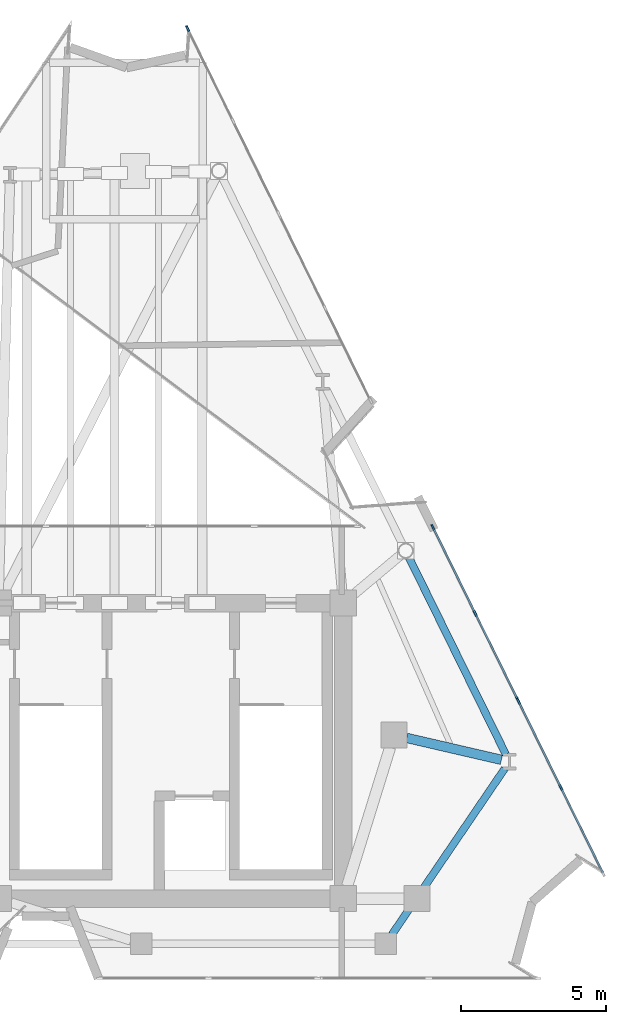
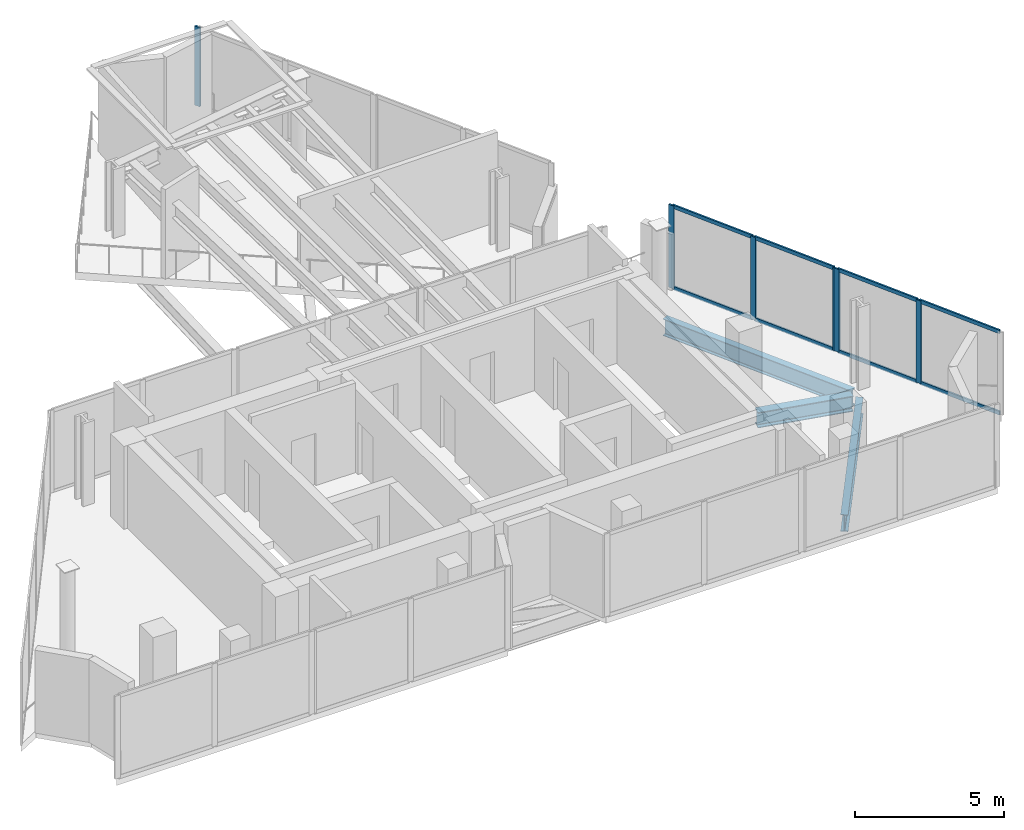
# One storey, part 4 of 7: 14 members, 3 beams, 3 elements without a shape of their own.
"""IFC4 building model written with IfcOpenShell, lengths in metres."""

from ifc_helpers import new_model, si_unit, direction, frame, origin, origin_2d, place, context, subcontext, project, spatial, rectangle, i_section, extrude, material, layer, layer_set, material_profile, profile_set, type_object, element, aggregate, save


model = new_model("IFC4")

# Units and contexts
model_context = context("Model", 3, precision=1e-05, world=origin(), true_north=direction((0.0, 1.0)))
body_context = subcontext(model_context, "Body", "Model", "MODEL_VIEW")
ifc_project = project(units=[si_unit("LENGTHUNIT", "METRE"), si_unit("AREAUNIT", "SQUARE_METRE"), si_unit("VOLUMEUNIT", "CUBIC_METRE"), si_unit("PLANEANGLEUNIT", "RADIAN"), si_unit("MASSUNIT", "GRAM", prefix="KILO")], contexts=[model_context])

# Site, building, storey
site_placement = place(None, origin())
site = spatial("IfcSite", under=ifc_project, at=site_placement, CompositionType="ELEMENT")
building_placement = place(site_placement, origin())
building = spatial("IfcBuilding", under=site, at=building_placement, Name="Almagre Mirador Tower", CompositionType="ELEMENT")
storey_placement = place(building_placement, frame((0.0, 0.0, 318.5)))
storey = spatial("IfcBuildingStorey", under=building, at=storey_placement, Name="L82", CompositionType="ELEMENT", Elevation=318.5)

# Beams
ifc_material_1 = material(Name="Steel ASTM A992 Grade 50", Category="steel")
ifc_material_profile_1 = material_profile(ifc_material_1, i_section(OverallWidth=0.256103515625, OverallDepth=0.693115234375, WebThickness=0.014404296875, FlangeThickness=0.023681640625, FilletRadius=0.02197265625, at=origin_2d()), Name="W27X114")
ifc_profile_set_1 = profile_set([ifc_material_profile_1], Name="Steel ASTM A992 Grade 50")
beam_type_1 = type_object("IfcBeamType", Name="BM-SPN-W27X114", PredefinedType="SPANDREL", material=ifc_profile_set_1)
beam_1_placement = place(storey_placement, frame((48.726806640625, 3.31005859375, -0.646484375), z_axis=(0.562316764755, 0.826921916553, 0.0), x_axis=(-0.826921916553, 0.562316764755, 0.0)))
element("IfcBeam", 1, at=beam_1_placement, inside=storey, type_object=beam_type_1, Name="L82 perimeter spandrel beam PC04-PC05", PredefinedType="SPANDREL", context=body_context, shape_type="SweptSolid", body=[
    extrude(i_section(OverallWidth=0.256103515625, OverallDepth=0.693115234375, WebThickness=0.014404296875, FlangeThickness=0.023681640625, FilletRadius=0.02197265625, at=origin_2d()), origin(), (0.0, 0.0, 1.0), 6.931884765625),
])
beam_2_placement = place(storey_placement, frame((52.6591796875, 9.53369140625, -0.646484375), z_axis=(-0.441286188915, 0.897366424306, 0.0), x_axis=(-0.897366424306, -0.441286188915, 0.0)))
element("IfcBeam", 2, at=beam_2_placement, inside=storey, type_object=beam_type_1, Name="L82 perimeter spandrel beam PC05-PC06", PredefinedType="SPANDREL", context=body_context, shape_type="SweptSolid", body=[
    extrude(i_section(OverallWidth=0.256103515625, OverallDepth=0.693115234375, WebThickness=0.014404296875, FlangeThickness=0.023681640625, FilletRadius=0.02197265625, at=origin_2d()), origin(), (0.0, 0.0, 1.0), 7.607666015625),
])
ifc_material_2 = material(Name="Steel ASTM A992 Grade 50", Category="steel")
ifc_material_profile_2 = material_profile(ifc_material_2, i_section(OverallWidth=0.330078125, OverallDepth=0.635009765625, WebThickness=0.017822265625, FlangeThickness=0.031005859375, FilletRadius=0.02001953125, at=origin_2d()), Name="W24X162")
ifc_profile_set_2 = profile_set([ifc_material_profile_2], Name="Steel ASTM A992 Grade 50")
beam_type_2 = type_object("IfcBeamType", Name="BM-STL-W24X162", PredefinedType="BEAM", material=ifc_profile_set_2)
beam_3_placement = place(storey_placement, frame((52.50732421875, 9.34228515625, -0.617431640625), z_axis=(-0.974263503656, 0.225412123549, 0.0), x_axis=(-0.225412123549, -0.974263503656, 0.0)))
element("IfcBeam", 3, at=beam_3_placement, inside=storey, type_object=beam_type_2, Name="L82 radial floor girder PC05-MC3", PredefinedType="BEAM", context=body_context, shape_type="SweptSolid", body=[
    extrude(i_section(OverallWidth=0.330078125, OverallDepth=0.635009765625, WebThickness=0.017822265625, FlangeThickness=0.031005859375, FilletRadius=0.02001953125, at=origin_2d()), origin(), (0.0, 0.0, 1.0), 3.35546875),
])

# Curtain wall, member
ifc_material_3 = material(Name="Black anodized aluminium", Category="aluminium")
ifc_layer = layer(ifc_material_3, 0.2099609375)
ifc_layer_set = layer_set([ifc_layer], Name="Black anodized aluminium")
curtain_wall_type = type_object("IfcCurtainWallType", Name="CW-CRN-SYS", PredefinedType="NOTDEFINED", material=ifc_layer_set)
curtain_wall_1_placement = place(storey_placement, origin())
curtain_wall_1 = element("IfcCurtainWall", 4, at=curtain_wall_1_placement, inside=storey, type_object=curtain_wall_type, Name="L82 curtain wall run 06", PredefinedType="NOTDEFINED")
ifc_material_4 = material(Name="Black anodized aluminium", Category="aluminium")
ifc_material_profile_3 = material_profile(ifc_material_4, rectangle(XDim=0.070068359375, YDim=0.2099609375, at=origin_2d()), Name="CWM70X210")
ifc_profile_set_3 = profile_set([ifc_material_profile_3], Name="Black anodized aluminium")
member_type_1 = type_object("IfcMemberType", Name="MBR-CWM70X210", PredefinedType="MULLION", material=ifc_profile_set_3)
member_1_placement = place(storey_placement, frame((41.6806640625, 34.579345703125, 0.0), z_axis=(0.0, 0.0, 1.0), x_axis=(0.897355924659, 0.441307539568, 0.0)))
member_1 = element("IfcMember", 5, at=member_1_placement, type_object=member_type_1, Name="CW-6 mullion 1", PredefinedType="MULLION", context=body_context, shape_type="SweptSolid", body=[
    extrude(rectangle(XDim=0.070068359375, YDim=0.2099609375, at=origin_2d()), origin(), (0.0, 0.0, 1.0), 3.2509765625),
])
aggregate(curtain_wall_1, [member_1])

# Curtain wall, members
curtain_wall_2_placement = place(storey_placement, origin())
curtain_wall_2 = element("IfcCurtainWall", 6, at=curtain_wall_2_placement, inside=storey, type_object=curtain_wall_type, Name="L82 curtain wall run 08", PredefinedType="NOTDEFINED")
member_2_placement = place(storey_placement, frame((50.1435546875, 17.36865234375, 0.0), z_axis=(0.0, 0.0, 1.0), x_axis=(0.897354428441, 0.441310581967, 0.0)))
member_2 = element("IfcMember", 7, at=member_2_placement, type_object=member_type_1, Name="CW-6 mullion 1", PredefinedType="MULLION", context=body_context, shape_type="SweptSolid", body=[
    extrude(rectangle(XDim=0.070068359375, YDim=0.2099609375, at=origin_2d()), origin(), (0.0, 0.0, 1.0), 3.39990234375),
])
member_3_placement = place(storey_placement, frame((51.604736328125, 14.397216796875, 0.0), z_axis=(0.0, 0.0, 1.0), x_axis=(0.897354428441, 0.441310581967, 0.0)))
member_3 = element("IfcMember", 8, at=member_3_placement, type_object=member_type_1, Name="CW-6 mullion 2", PredefinedType="MULLION", context=body_context, shape_type="SweptSolid", body=[
    extrude(rectangle(XDim=0.070068359375, YDim=0.2099609375, at=origin_2d()), origin(), (0.0, 0.0, 1.0), 3.39990234375),
])
member_4_placement = place(storey_placement, frame((53.066162109375, 11.426025390625, 0.0), z_axis=(0.0, 0.0, 1.0), x_axis=(0.897354428441, 0.441310581967, 0.0)))
member_4 = element("IfcMember", 9, at=member_4_placement, type_object=member_type_1, Name="CW-6 mullion 3", PredefinedType="MULLION", context=body_context, shape_type="SweptSolid", body=[
    extrude(rectangle(XDim=0.070068359375, YDim=0.2099609375, at=origin_2d()), origin(), (0.0, 0.0, 1.0), 3.39990234375),
])

curtain_wall_3_placement = place(storey_placement, origin())
curtain_wall_3 = element("IfcCurtainWall", 10, at=curtain_wall_3_placement, inside=storey, type_object=curtain_wall_type, Name="L82 curtain wall run 09", PredefinedType="NOTDEFINED")
member_5_placement = place(storey_placement, frame((53.096923828125, 11.36328125, 0.0), z_axis=(0.0, 0.0, 1.0), x_axis=(0.897354428441, 0.441310581967, 0.0)))
member_5 = element("IfcMember", 11, at=member_5_placement, type_object=member_type_1, Name="CW-6 mullion 1", PredefinedType="MULLION", context=body_context, shape_type="SweptSolid", body=[
    extrude(rectangle(XDim=0.070068359375, YDim=0.2099609375, at=origin_2d()), origin(), (0.0, 0.0, 1.0), 3.39990234375),
])
member_6_placement = place(storey_placement, frame((54.55810546875, 8.391845703125, 0.0), z_axis=(0.0, 0.0, 1.0), x_axis=(0.897354428441, 0.441310581967, 0.0)))
member_6 = element("IfcMember", 12, at=member_6_placement, type_object=member_type_1, Name="CW-6 mullion 2", PredefinedType="MULLION", context=body_context, shape_type="SweptSolid", body=[
    extrude(rectangle(XDim=0.070068359375, YDim=0.2099609375, at=origin_2d()), origin(), (0.0, 0.0, 1.0), 3.39990234375),
])

# Member
ifc_material_5 = material(Name="Black anodized aluminium", Category="aluminium")
ifc_material_profile_4 = material_profile(ifc_material_5, rectangle(XDim=0.06494140625, YDim=0.14990234375, at=origin_2d()), Name="CWT65X150")
ifc_profile_set_4 = profile_set([ifc_material_profile_4], Name="Black anodized aluminium")
member_type_2 = type_object("IfcMemberType", Name="MBR-CWT65X150", PredefinedType="USERDEFINED", material=ifc_profile_set_4)
member_7_placement = place(storey_placement, frame((50.158935546875, 17.337158203125, 0.032470703125), z_axis=(0.441328604456, -0.897345564924, 0.0), x_axis=(0.897345564924, 0.441328604456, 0.0)))
member_7 = element("IfcMember", 13, at=member_7_placement, type_object=member_type_2, Name="CW-6 transom 1.1", ObjectType="TRANSOM", PredefinedType="USERDEFINED", context=body_context, shape_type="SweptSolid", body=[
    extrude(rectangle(XDim=0.06494140625, YDim=0.14990234375, at=origin_2d()), origin(), (0.0, 0.0, 1.0), 3.2412109375),
])

member_8_placement = place(storey_placement, frame((50.158935546875, 17.337158203125, 3.367431640625), z_axis=(0.441328604456, -0.897345564924, 0.0), x_axis=(0.897345564924, 0.441328604456, 0.0)))
member_8 = element("IfcMember", 14, at=member_8_placement, type_object=member_type_2, Name="CW-6 transom 1.2", ObjectType="TRANSOM", PredefinedType="USERDEFINED", context=body_context, shape_type="SweptSolid", body=[
    extrude(rectangle(XDim=0.06494140625, YDim=0.14990234375, at=origin_2d()), origin(), (0.0, 0.0, 1.0), 3.2412109375),
])

member_9_placement = place(storey_placement, frame((51.620361328125, 14.365966796875, 0.032470703125), z_axis=(0.441267947631, -0.897375394355, 0.0), x_axis=(0.897375394355, 0.441267947631, 0.0)))
member_9 = element("IfcMember", 15, at=member_9_placement, type_object=member_type_2, Name="CW-6 transom 2.1", ObjectType="TRANSOM", PredefinedType="USERDEFINED", context=body_context, shape_type="SweptSolid", body=[
    extrude(rectangle(XDim=0.06494140625, YDim=0.14990234375, at=origin_2d()), origin(), (0.0, 0.0, 1.0), 3.240966796875),
])

member_10_placement = place(storey_placement, frame((51.620361328125, 14.365966796875, 3.367431640625), z_axis=(0.441267947631, -0.897375394355, 0.0), x_axis=(0.897375394355, 0.441267947631, 0.0)))
member_10 = element("IfcMember", 16, at=member_10_placement, type_object=member_type_2, Name="CW-6 transom 2.2", ObjectType="TRANSOM", PredefinedType="USERDEFINED", context=body_context, shape_type="SweptSolid", body=[
    extrude(rectangle(XDim=0.06494140625, YDim=0.14990234375, at=origin_2d()), origin(), (0.0, 0.0, 1.0), 3.240966796875),
])

aggregate(curtain_wall_2, [member_2, member_3, member_4, member_7, member_8, member_9, member_10])

member_11_placement = place(storey_placement, frame((53.1123046875, 11.331787109375, 0.032470703125), z_axis=(0.441328604456, -0.897345564924, 0.0), x_axis=(0.897345564924, 0.441328604456, 0.0)))
member_11 = element("IfcMember", 17, at=member_11_placement, type_object=member_type_2, Name="CW-6 transom 1.1", ObjectType="TRANSOM", PredefinedType="USERDEFINED", context=body_context, shape_type="SweptSolid", body=[
    extrude(rectangle(XDim=0.06494140625, YDim=0.14990234375, at=origin_2d()), origin(), (0.0, 0.0, 1.0), 3.2412109375),
])

member_12_placement = place(storey_placement, frame((53.1123046875, 11.331787109375, 3.367431640625), z_axis=(0.441328604456, -0.897345564924, 0.0), x_axis=(0.897345564924, 0.441328604456, 0.0)))
member_12 = element("IfcMember", 18, at=member_12_placement, type_object=member_type_2, Name="CW-6 transom 1.2", ObjectType="TRANSOM", PredefinedType="USERDEFINED", context=body_context, shape_type="SweptSolid", body=[
    extrude(rectangle(XDim=0.06494140625, YDim=0.14990234375, at=origin_2d()), origin(), (0.0, 0.0, 1.0), 3.2412109375),
])

member_13_placement = place(storey_placement, frame((54.57373046875, 8.360595703125, 0.032470703125), z_axis=(0.441238121031, -0.897390060425, 0.0), x_axis=(0.897390060425, 0.441238121031, 0.0)))
member_13 = element("IfcMember", 19, at=member_13_placement, type_object=member_type_2, Name="CW-6 transom 2.1", ObjectType="TRANSOM", PredefinedType="USERDEFINED", context=body_context, shape_type="SweptSolid", body=[
    extrude(rectangle(XDim=0.06494140625, YDim=0.14990234375, at=origin_2d()), origin(), (0.0, 0.0, 1.0), 3.2412109375),
])

member_14_placement = place(storey_placement, frame((54.57373046875, 8.360595703125, 3.367431640625), z_axis=(0.441238121031, -0.897390060425, 0.0), x_axis=(0.897390060425, 0.441238121031, 0.0)))
member_14 = element("IfcMember", 20, at=member_14_placement, type_object=member_type_2, Name="CW-6 transom 2.2", ObjectType="TRANSOM", PredefinedType="USERDEFINED", context=body_context, shape_type="SweptSolid", body=[
    extrude(rectangle(XDim=0.06494140625, YDim=0.14990234375, at=origin_2d()), origin(), (0.0, 0.0, 1.0), 3.2412109375),
])

aggregate(curtain_wall_3, [member_5, member_6, member_11, member_12, member_13, member_14])

save(model, "model.ifc")
